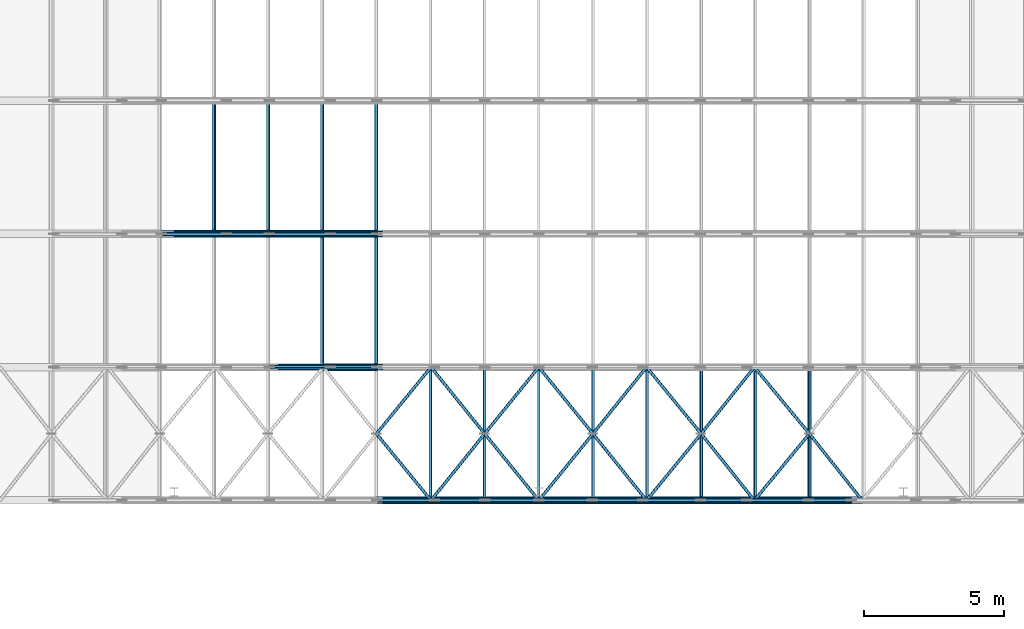
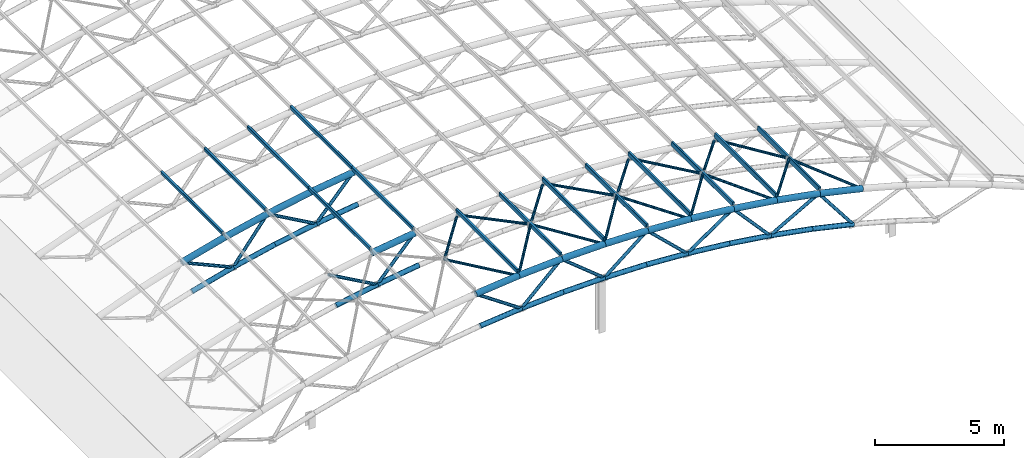
# One storey, part 2 of 22: 75 members.
"""IFC4 building model written with IfcOpenShell, lengths in metres."""

from ifc_helpers import new_model, si_unit, direction, frame, origin, origin_2d, place, context, subcontext, project, spatial, hollow_rectangle, hollow_circle, extrude, material, material_profile, profile_set, type_object, element, save


model = new_model("IFC4")

# Units and contexts
model_context = context("Model", 3, precision=1e-05, world=origin(), true_north=direction((0.0, 1.0)))
body_context = subcontext(model_context, "Body", "Model", "MODEL_VIEW")
ifc_project = project(units=[si_unit("LENGTHUNIT", "METRE"), si_unit("AREAUNIT", "SQUARE_METRE"), si_unit("VOLUMEUNIT", "CUBIC_METRE"), si_unit("PLANEANGLEUNIT", "RADIAN"), si_unit("MASSUNIT", "GRAM", prefix="KILO")], contexts=[model_context])

# Site, building, storey
site_placement = place(None, origin())
site = spatial("IfcSite", under=ifc_project, at=site_placement, CompositionType="ELEMENT")
building_placement = place(site_placement, origin())
building = spatial("IfcBuilding", under=site, at=building_placement, Name="Elbe Cascade School", CompositionType="ELEMENT")
storey_placement = place(building_placement, frame((0.0, 0.0, 18.89990234375)))
storey = spatial("IfcBuildingStorey", under=building, at=storey_placement, Name="R05", CompositionType="ELEMENT", Elevation=18.89990234375)

# Members
ifc_material_1 = material(Name="Steel S355J2H", Category="steel")
ifc_material_profile_1 = material_profile(ifc_material_1, hollow_circle(Radius=0.109619140625, WallThickness=0.012451171875, at=origin_2d()), Name="CHS 219.1x12.5")
ifc_profile_set_1 = profile_set([ifc_material_profile_1], Name="Steel S355J2H")
member_type_1 = type_object("IfcMemberType", Name="Hall rib bottom chord CHS 219.1x12.5", PredefinedType="CHORD", material=ifc_profile_set_1)
member_1_placement = place(storey_placement, frame((28.428466796875, 41.0, 2.355224609375), z_axis=(0.994942207611, 0.0, 0.100449009523), x_axis=(0.0, 1.0, 0.0)))
element("IfcMember", 1, at=member_1_placement, inside=storey, type_object=member_type_1, Name="Hall rib bottom chord CHS 219.1x12.5 M3", PredefinedType="CHORD", context=body_context, shape_type="SweptSolid", body=[
    extrude(hollow_circle(Radius=0.109619140625, WallThickness=0.012451171875, at=origin_2d()), origin(), (0.0, 0.0, 1.0), 1.86669921875),
])
member_2_placement = place(storey_placement, frame((30.28564453125, 41.0, 2.542724609375), z_axis=(0.998184548597, 0.0, 0.060229618484), x_axis=(0.0, 1.0, 0.0)))
element("IfcMember", 2, at=member_2_placement, inside=storey, type_object=member_type_1, Name="Hall rib bottom chord CHS 219.1x12.5 M3", PredefinedType="CHORD", context=body_context, shape_type="SweptSolid", body=[
    extrude(hollow_circle(Radius=0.109619140625, WallThickness=0.012451171875, at=origin_2d()), origin(), (0.0, 0.0, 1.0), 1.860595703125),
])
for number, where, z_axis, x_axis, name in (
    (3, (32.142822265625, 41.0, 2.65478515625), (0.999797793882, 0.0, 0.020108986784), (0.0, 1.0, 0.0), "Hall rib bottom chord CHS 219.1x12.5 M3"),
    (4, (34.0, 41.0, 2.692138671875), (0.999797793882, 0.0, -0.020108986784), (0.0, 1.0, 0.0), "Hall rib bottom chord CHS 219.1x12.5 M3"),
):
    element("IfcMember", number, at=place(storey_placement, frame(where, z_axis=z_axis, x_axis=x_axis)), inside=storey, type_object=member_type_1, Name=name, PredefinedType="CHORD", context=body_context, shape_type="SweptSolid", body=[
        extrude(hollow_circle(Radius=0.109619140625, WallThickness=0.012451171875, at=origin_2d()), origin(), (0.0, 0.0, 1.0), 1.857666015625),
    ])
member_3_placement = place(storey_placement, frame((35.857177734375, 41.0, 2.65478515625), z_axis=(0.998184548597, 0.0, -0.060229618484), x_axis=(0.0, 1.0, 0.0)))
element("IfcMember", 5, at=member_3_placement, inside=storey, type_object=member_type_1, Name="Hall rib bottom chord CHS 219.1x12.5 M3", PredefinedType="CHORD", context=body_context, shape_type="SweptSolid", body=[
    extrude(hollow_circle(Radius=0.109619140625, WallThickness=0.012451171875, at=origin_2d()), origin(), (0.0, 0.0, 1.0), 1.860595703125),
])
member_4_placement = place(storey_placement, frame((37.71435546875, 41.0, 2.542724609375), z_axis=(0.994942207611, 0.0, -0.100449009523), x_axis=(0.0, 1.0, 0.0)))
element("IfcMember", 6, at=member_4_placement, inside=storey, type_object=member_type_1, Name="Hall rib bottom chord CHS 219.1x12.5 M3", PredefinedType="CHORD", context=body_context, shape_type="SweptSolid", body=[
    extrude(hollow_circle(Radius=0.109619140625, WallThickness=0.012451171875, at=origin_2d()), origin(), (0.0, 0.0, 1.0), 1.86669921875),
])
member_5_placement = place(storey_placement, frame((39.571533203125, 41.0, 2.355224609375), z_axis=(0.990068894629, 0.0, -0.140583014225), x_axis=(0.0, 1.0, 0.0)))
element("IfcMember", 7, at=member_5_placement, inside=storey, type_object=member_type_1, Name="Hall rib bottom chord CHS 219.1x12.5 M3", PredefinedType="CHORD", context=body_context, shape_type="SweptSolid", body=[
    extrude(hollow_circle(Radius=0.109619140625, WallThickness=0.012451171875, at=origin_2d()), origin(), (0.0, 0.0, 1.0), 1.87548828125),
])
member_6_placement = place(storey_placement, frame((41.428466796875, 41.0, 2.091552734375), z_axis=(0.9835518543, 0.0, -0.180625994539), x_axis=(0.0, 1.0, 0.0)))
element("IfcMember", 8, at=member_6_placement, inside=storey, type_object=member_type_1, Name="Hall rib bottom chord CHS 219.1x12.5 M3", PredefinedType="CHORD", context=body_context, shape_type="SweptSolid", body=[
    extrude(hollow_circle(Radius=0.109619140625, WallThickness=0.012451171875, at=origin_2d()), origin(), (0.0, 0.0, 1.0), 1.88818359375),
])
member_7_placement = place(storey_placement, frame((43.28564453125, 41.0, 1.75048828125), z_axis=(0.975295060536, 0.0, -0.220906190259), x_axis=(0.0, 1.0, 0.0)))
element("IfcMember", 9, at=member_7_placement, inside=storey, type_object=member_type_1, Name="Hall rib bottom chord CHS 219.1x12.5 M3", PredefinedType="CHORD", context=body_context, shape_type="SweptSolid", body=[
    extrude(hollow_circle(Radius=0.109619140625, WallThickness=0.012451171875, at=origin_2d()), origin(), (0.0, 0.0, 1.0), 1.904296875),
])
member_8_placement = place(storey_placement, frame((24.71435546875, 45.75, 1.75048828125), z_axis=(0.9835518543, 0.0, 0.180625994539), x_axis=(0.0, 1.0, 0.0)))
element("IfcMember", 10, at=member_8_placement, inside=storey, type_object=member_type_1, Name="Hall rib bottom chord CHS 219.1x12.5 M3", PredefinedType="CHORD", context=body_context, shape_type="SweptSolid", body=[
    extrude(hollow_circle(Radius=0.109619140625, WallThickness=0.012451171875, at=origin_2d()), origin(), (0.0, 0.0, 1.0), 1.88818359375),
])
member_9_placement = place(storey_placement, frame((26.571533203125, 45.75, 2.091552734375), z_axis=(0.990068894629, 0.0, 0.140583014225), x_axis=(0.0, 1.0, 0.0)))
element("IfcMember", 11, at=member_9_placement, inside=storey, type_object=member_type_1, Name="Hall rib bottom chord CHS 219.1x12.5 M3", PredefinedType="CHORD", context=body_context, shape_type="SweptSolid", body=[
    extrude(hollow_circle(Radius=0.109619140625, WallThickness=0.012451171875, at=origin_2d()), origin(), (0.0, 0.0, 1.0), 1.87548828125),
])
member_10_placement = place(storey_placement, frame((21.0, 50.5, 0.82763671875), z_axis=(0.965329694666, 0.0, 0.26103367713), x_axis=(0.0, 1.0, 0.0)))
element("IfcMember", 12, at=member_10_placement, inside=storey, type_object=member_type_1, Name="Hall rib bottom chord CHS 219.1x12.5 M3", PredefinedType="CHORD", context=body_context, shape_type="SweptSolid", body=[
    extrude(hollow_circle(Radius=0.109619140625, WallThickness=0.012451171875, at=origin_2d()), origin(), (0.0, 0.0, 1.0), 1.923828125),
])
member_11_placement = place(storey_placement, frame((22.857177734375, 50.5, 1.329833984375), z_axis=(0.975295060536, 0.0, 0.220906190259), x_axis=(0.0, 1.0, 0.0)))
element("IfcMember", 13, at=member_11_placement, inside=storey, type_object=member_type_1, Name="Hall rib bottom chord CHS 219.1x12.5 M3", PredefinedType="CHORD", context=body_context, shape_type="SweptSolid", body=[
    extrude(hollow_circle(Radius=0.109619140625, WallThickness=0.012451171875, at=origin_2d()), origin(), (0.0, 0.0, 1.0), 1.904296875),
])
member_12_placement = place(storey_placement, frame((24.71435546875, 50.5, 1.75048828125), z_axis=(0.9835518543, 0.0, 0.180625994539), x_axis=(0.0, 1.0, 0.0)))
element("IfcMember", 14, at=member_12_placement, inside=storey, type_object=member_type_1, Name="Hall rib bottom chord CHS 219.1x12.5 M3", PredefinedType="CHORD", context=body_context, shape_type="SweptSolid", body=[
    extrude(hollow_circle(Radius=0.109619140625, WallThickness=0.012451171875, at=origin_2d()), origin(), (0.0, 0.0, 1.0), 1.88818359375),
])
member_13_placement = place(storey_placement, frame((26.571533203125, 50.5, 2.091552734375), z_axis=(0.990068894629, 0.0, 0.140583014225), x_axis=(0.0, 1.0, 0.0)))
element("IfcMember", 15, at=member_13_placement, inside=storey, type_object=member_type_1, Name="Hall rib bottom chord CHS 219.1x12.5 M3", PredefinedType="CHORD", context=body_context, shape_type="SweptSolid", body=[
    extrude(hollow_circle(Radius=0.109619140625, WallThickness=0.012451171875, at=origin_2d()), origin(), (0.0, 0.0, 1.0), 1.87548828125),
])
ifc_material_2 = material(Name="Steel S355J2H", Category="steel")
ifc_material_profile_2 = material_profile(ifc_material_2, hollow_circle(Radius=0.136474609375, WallThickness=0.012451171875, at=origin_2d()), Name="CHS 273x12.5")
ifc_profile_set_2 = profile_set([ifc_material_profile_2], Name="Steel S355J2H")
member_type_2 = type_object("IfcMemberType", Name="Hall rib top chord CHS 273x12.5", PredefinedType="CHORD", material=ifc_profile_set_2)
member_14_placement = place(storey_placement, frame((28.23583984375, 41.0, 3.943603515625), z_axis=(0.994936550575, 0.0, 0.100505026392), x_axis=(0.0, 1.0, 0.0)))
element("IfcMember", 16, at=member_14_placement, inside=storey, type_object=member_type_2, Name="Hall rib top chord CHS 273x12.5 M2", PredefinedType="CHORD", context=body_context, shape_type="SweptSolid", body=[
    extrude(hollow_circle(Radius=0.136474609375, WallThickness=0.012451171875, at=origin_2d()), origin(), (0.0, 0.0, 1.0), 1.93115234375),
])
member_15_placement = place(storey_placement, frame((30.1572265625, 41.0, 4.1376953125), z_axis=(0.998183551067, 0.0, 0.060246148254), x_axis=(0.0, 1.0, 0.0)))
element("IfcMember", 17, at=member_15_placement, inside=storey, type_object=member_type_2, Name="Hall rib top chord CHS 273x12.5 M2", PredefinedType="CHORD", context=body_context, shape_type="SweptSolid", body=[
    extrude(hollow_circle(Radius=0.136474609375, WallThickness=0.012451171875, at=origin_2d()), origin(), (0.0, 0.0, 1.0), 1.9248046875),
])
for number, where, z_axis, x_axis, name in (
    (18, (32.07861328125, 41.0, 4.253662109375), (0.999798533216, 0.0, 0.020072194187), (0.0, 1.0, 0.0), "Hall rib top chord CHS 273x12.5 M2"),
    (19, (34.0, 41.0, 4.292236328125), (0.999798533216, 0.0, -0.020072194187), (0.0, 1.0, 0.0), "Hall rib top chord CHS 273x12.5 M2"),
):
    element("IfcMember", number, at=place(storey_placement, frame(where, z_axis=z_axis, x_axis=x_axis)), inside=storey, type_object=member_type_2, Name=name, PredefinedType="CHORD", context=body_context, shape_type="SweptSolid", body=[
        extrude(hollow_circle(Radius=0.136474609375, WallThickness=0.012451171875, at=origin_2d()), origin(), (0.0, 0.0, 1.0), 1.921875),
    ])
member_16_placement = place(storey_placement, frame((35.92138671875, 41.0, 4.253662109375), z_axis=(0.998183551067, 0.0, -0.060246148254), x_axis=(0.0, 1.0, 0.0)))
element("IfcMember", 20, at=member_16_placement, inside=storey, type_object=member_type_2, Name="Hall rib top chord CHS 273x12.5 M2", PredefinedType="CHORD", context=body_context, shape_type="SweptSolid", body=[
    extrude(hollow_circle(Radius=0.136474609375, WallThickness=0.012451171875, at=origin_2d()), origin(), (0.0, 0.0, 1.0), 1.9248046875),
])
member_17_placement = place(storey_placement, frame((37.8427734375, 41.0, 4.1376953125), z_axis=(0.994936550575, 0.0, -0.100505026392), x_axis=(0.0, 1.0, 0.0)))
element("IfcMember", 21, at=member_17_placement, inside=storey, type_object=member_type_2, Name="Hall rib top chord CHS 273x12.5 M2", PredefinedType="CHORD", context=body_context, shape_type="SweptSolid", body=[
    extrude(hollow_circle(Radius=0.136474609375, WallThickness=0.012451171875, at=origin_2d()), origin(), (0.0, 0.0, 1.0), 1.93115234375),
])
member_18_placement = place(storey_placement, frame((39.76416015625, 41.0, 3.943603515625), z_axis=(0.990077406218, 0.0, -0.140523057528), x_axis=(0.0, 1.0, 0.0)))
element("IfcMember", 22, at=member_18_placement, inside=storey, type_object=member_type_2, Name="Hall rib top chord CHS 273x12.5 M2", PredefinedType="CHORD", context=body_context, shape_type="SweptSolid", body=[
    extrude(hollow_circle(Radius=0.136474609375, WallThickness=0.012451171875, at=origin_2d()), origin(), (0.0, 0.0, 1.0), 1.940673828125),
])
member_19_placement = place(storey_placement, frame((41.685546875, 41.0, 3.6708984375), z_axis=(0.983536288489, 0.0, -0.180710733565), x_axis=(0.0, 1.0, 0.0)))
element("IfcMember", 23, at=member_19_placement, inside=storey, type_object=member_type_2, Name="Hall rib top chord CHS 273x12.5 M2", PredefinedType="CHORD", context=body_context, shape_type="SweptSolid", body=[
    extrude(hollow_circle(Radius=0.136474609375, WallThickness=0.012451171875, at=origin_2d()), origin(), (0.0, 0.0, 1.0), 1.95361328125),
])
member_20_placement = place(storey_placement, frame((43.60693359375, 41.0, 3.31787109375), z_axis=(0.975283578549, 0.0, -0.220956876817), x_axis=(0.0, 1.0, 0.0)))
element("IfcMember", 24, at=member_20_placement, inside=storey, type_object=member_type_2, Name="Hall rib top chord CHS 273x12.5 M2", PredefinedType="CHORD", context=body_context, shape_type="SweptSolid", body=[
    extrude(hollow_circle(Radius=0.136474609375, WallThickness=0.012451171875, at=origin_2d()), origin(), (0.0, 0.0, 1.0), 1.969970703125),
])
member_21_placement = place(storey_placement, frame((26.314453125, 45.75, 3.6708984375), z_axis=(0.990077406218, 0.0, 0.140523057528), x_axis=(0.0, 1.0, 0.0)))
element("IfcMember", 25, at=member_21_placement, inside=storey, type_object=member_type_2, Name="Hall rib top chord CHS 273x12.5 M2", PredefinedType="CHORD", context=body_context, shape_type="SweptSolid", body=[
    extrude(hollow_circle(Radius=0.136474609375, WallThickness=0.012451171875, at=origin_2d()), origin(), (0.0, 0.0, 1.0), 1.940673828125),
])
member_22_placement = place(storey_placement, frame((20.55029296875, 50.5, 2.363037109375), z_axis=(0.965333327016, 0.0, 0.26102024395), x_axis=(0.0, 1.0, 0.0)))
element("IfcMember", 26, at=member_22_placement, inside=storey, type_object=member_type_2, Name="Hall rib top chord CHS 273x12.5 M2", PredefinedType="CHORD", context=body_context, shape_type="SweptSolid", body=[
    extrude(hollow_circle(Radius=0.136474609375, WallThickness=0.012451171875, at=origin_2d()), origin(), (0.0, 0.0, 1.0), 1.990478515625),
])
member_23_placement = place(storey_placement, frame((22.4716796875, 50.5, 2.882568359375), z_axis=(0.975283578549, 0.0, 0.220956876817), x_axis=(0.0, 1.0, 0.0)))
element("IfcMember", 27, at=member_23_placement, inside=storey, type_object=member_type_2, Name="Hall rib top chord CHS 273x12.5 M2", PredefinedType="CHORD", context=body_context, shape_type="SweptSolid", body=[
    extrude(hollow_circle(Radius=0.136474609375, WallThickness=0.012451171875, at=origin_2d()), origin(), (0.0, 0.0, 1.0), 1.969970703125),
])
member_24_placement = place(storey_placement, frame((24.39306640625, 50.5, 3.31787109375), z_axis=(0.983536288489, 0.0, 0.180710733565), x_axis=(0.0, 1.0, 0.0)))
element("IfcMember", 28, at=member_24_placement, inside=storey, type_object=member_type_2, Name="Hall rib top chord CHS 273x12.5 M2", PredefinedType="CHORD", context=body_context, shape_type="SweptSolid", body=[
    extrude(hollow_circle(Radius=0.136474609375, WallThickness=0.012451171875, at=origin_2d()), origin(), (0.0, 0.0, 1.0), 1.95361328125),
])
member_25_placement = place(storey_placement, frame((26.314453125, 50.5, 3.6708984375), z_axis=(0.990077406218, 0.0, 0.140523057528), x_axis=(0.0, 1.0, 0.0)))
element("IfcMember", 29, at=member_25_placement, inside=storey, type_object=member_type_2, Name="Hall rib top chord CHS 273x12.5 M2", PredefinedType="CHORD", context=body_context, shape_type="SweptSolid", body=[
    extrude(hollow_circle(Radius=0.136474609375, WallThickness=0.012451171875, at=origin_2d()), origin(), (0.0, 0.0, 1.0), 1.940673828125),
])
ifc_material_3 = material(Name="Steel S355J2H", Category="steel")
ifc_material_profile_3 = material_profile(ifc_material_3, hollow_circle(Radius=0.06982421875, WallThickness=0.008056640625, at=origin_2d()), Name="CHS 139.7x8")
ifc_profile_set_3 = profile_set([ifc_material_profile_3], Name="Steel S355J2H")
member_type_3 = type_object("IfcMemberType", Name="Hall rib web CHS 139.7x8", PredefinedType="BRACE", material=ifc_profile_set_3)
member_26_placement = place(storey_placement, frame((28.23583984375, 41.0, 3.943603515625), z_axis=(0.825611048999, 0.0, -0.564239661643), x_axis=(0.0, 1.0, 0.0)))
element("IfcMember", 30, at=member_26_placement, inside=storey, type_object=member_type_3, Name="Hall rib web CHS 139.7x8 M4", PredefinedType="BRACE", context=body_context, shape_type="SweptSolid", body=[
    extrude(hollow_circle(Radius=0.06982421875, WallThickness=0.008056640625, at=origin_2d()), origin(), (0.0, 0.0, 1.0), 2.482666015625),
])
member_27_placement = place(storey_placement, frame((30.28564453125, 41.0, 2.542724609375), z_axis=(0.723462885485, 0.0, 0.690363276345), x_axis=(0.0, 1.0, 0.0)))
element("IfcMember", 31, at=member_27_placement, inside=storey, type_object=member_type_3, Name="Hall rib web CHS 139.7x8 M4", PredefinedType="BRACE", context=body_context, shape_type="SweptSolid", body=[
    extrude(hollow_circle(Radius=0.06982421875, WallThickness=0.008056640625, at=origin_2d()), origin(), (0.0, 0.0, 1.0), 2.478271484375),
])
for number, where, z_axis, x_axis, name in (
    (32, (32.07861328125, 41.0, 4.253662109375), (0.776035572701, 0.0, -0.630689138881), (0.0, 1.0, 0.0), "Hall rib web CHS 139.7x8 M4"),
    (33, (34.0, 41.0, 2.692138671875), (0.776035572701, 0.0, 0.630689138881), (0.0, 1.0, 0.0), "Hall rib web CHS 139.7x8 M4"),
):
    element("IfcMember", number, at=place(storey_placement, frame(where, z_axis=z_axis, x_axis=x_axis)), inside=storey, type_object=member_type_3, Name=name, PredefinedType="BRACE", context=body_context, shape_type="SweptSolid", body=[
        extrude(hollow_circle(Radius=0.06982421875, WallThickness=0.008056640625, at=origin_2d()), origin(), (0.0, 0.0, 1.0), 2.475830078125),
    ])
member_28_placement = place(storey_placement, frame((35.92138671875, 41.0, 4.253662109375), z_axis=(0.723462885485, 0.0, -0.690363276345), x_axis=(0.0, 1.0, 0.0)))
element("IfcMember", 34, at=member_28_placement, inside=storey, type_object=member_type_3, Name="Hall rib web CHS 139.7x8 M4", PredefinedType="BRACE", context=body_context, shape_type="SweptSolid", body=[
    extrude(hollow_circle(Radius=0.06982421875, WallThickness=0.008056640625, at=origin_2d()), origin(), (0.0, 0.0, 1.0), 2.478271484375),
])
member_29_placement = place(storey_placement, frame((37.71435546875, 41.0, 2.542724609375), z_axis=(0.825611048999, 0.0, 0.564239661643), x_axis=(0.0, 1.0, 0.0)))
element("IfcMember", 35, at=member_29_placement, inside=storey, type_object=member_type_3, Name="Hall rib web CHS 139.7x8 M4", PredefinedType="BRACE", context=body_context, shape_type="SweptSolid", body=[
    extrude(hollow_circle(Radius=0.06982421875, WallThickness=0.008056640625, at=origin_2d()), origin(), (0.0, 0.0, 1.0), 2.482666015625),
])
member_30_placement = place(storey_placement, frame((39.76416015625, 41.0, 3.943603515625), z_axis=(0.668401163046, 0.0, -0.743800971523), x_axis=(0.0, 1.0, 0.0)))
element("IfcMember", 36, at=member_30_placement, inside=storey, type_object=member_type_3, Name="Hall rib web CHS 139.7x8 M4", PredefinedType="BRACE", context=body_context, shape_type="SweptSolid", body=[
    extrude(hollow_circle(Radius=0.06982421875, WallThickness=0.008056640625, at=origin_2d()), origin(), (0.0, 0.0, 1.0), 2.489990234375),
])
member_31_placement = place(storey_placement, frame((41.428466796875, 41.0, 2.091552734375), z_axis=(0.871416395959, 0.0, 0.49054404986), x_axis=(0.0, 1.0, 0.0)))
element("IfcMember", 37, at=member_31_placement, inside=storey, type_object=member_type_3, Name="Hall rib web CHS 139.7x8 M4", PredefinedType="BRACE", context=body_context, shape_type="SweptSolid", body=[
    extrude(hollow_circle(Radius=0.06982421875, WallThickness=0.008056640625, at=origin_2d()), origin(), (0.0, 0.0, 1.0), 2.5),
])
member_32_placement = place(storey_placement, frame((43.60693359375, 41.0, 3.31787109375), z_axis=(0.611367288824, 0.0, -0.791346977094), x_axis=(0.0, 1.0, 0.0)))
element("IfcMember", 38, at=member_32_placement, inside=storey, type_object=member_type_3, Name="Hall rib web CHS 139.7x8 M4", PredefinedType="BRACE", context=body_context, shape_type="SweptSolid", body=[
    extrude(hollow_circle(Radius=0.06982421875, WallThickness=0.008056640625, at=origin_2d()), origin(), (0.0, 0.0, 1.0), 2.51220703125),
])
member_33_placement = place(storey_placement, frame((24.39306640625, 45.75, 3.31787109375), z_axis=(0.871416395959, 0.0, -0.49054404986), x_axis=(0.0, 1.0, 0.0)))
element("IfcMember", 39, at=member_33_placement, inside=storey, type_object=member_type_3, Name="Hall rib web CHS 139.7x8 M4", PredefinedType="BRACE", context=body_context, shape_type="SweptSolid", body=[
    extrude(hollow_circle(Radius=0.06982421875, WallThickness=0.008056640625, at=origin_2d()), origin(), (0.0, 0.0, 1.0), 2.5),
])
member_34_placement = place(storey_placement, frame((26.571533203125, 45.75, 2.091552734375), z_axis=(0.668401163046, 0.0, 0.743800971523), x_axis=(0.0, 1.0, 0.0)))
element("IfcMember", 40, at=member_34_placement, inside=storey, type_object=member_type_3, Name="Hall rib web CHS 139.7x8 M4", PredefinedType="BRACE", context=body_context, shape_type="SweptSolid", body=[
    extrude(hollow_circle(Radius=0.06982421875, WallThickness=0.008056640625, at=origin_2d()), origin(), (0.0, 0.0, 1.0), 2.489990234375),
])
member_35_placement = place(storey_placement, frame((20.55029296875, 50.5, 2.363037109375), z_axis=(0.91264478228, 0.0, -0.408753594942), x_axis=(0.0, 1.0, 0.0)))
element("IfcMember", 41, at=member_35_placement, inside=storey, type_object=member_type_3, Name="Hall rib web CHS 139.7x8 M4", PredefinedType="BRACE", context=body_context, shape_type="SweptSolid", body=[
    extrude(hollow_circle(Radius=0.06982421875, WallThickness=0.008056640625, at=origin_2d()), origin(), (0.0, 0.0, 1.0), 2.527587890625),
])
member_36_placement = place(storey_placement, frame((22.857177734375, 50.5, 1.329833984375), z_axis=(0.611367288824, 0.0, 0.791346977094), x_axis=(0.0, 1.0, 0.0)))
element("IfcMember", 42, at=member_36_placement, inside=storey, type_object=member_type_3, Name="Hall rib web CHS 139.7x8 M4", PredefinedType="BRACE", context=body_context, shape_type="SweptSolid", body=[
    extrude(hollow_circle(Radius=0.06982421875, WallThickness=0.008056640625, at=origin_2d()), origin(), (0.0, 0.0, 1.0), 2.51220703125),
])
member_37_placement = place(storey_placement, frame((24.39306640625, 50.5, 3.31787109375), z_axis=(0.871416395959, 0.0, -0.49054404986), x_axis=(0.0, 1.0, 0.0)))
element("IfcMember", 43, at=member_37_placement, inside=storey, type_object=member_type_3, Name="Hall rib web CHS 139.7x8 M4", PredefinedType="BRACE", context=body_context, shape_type="SweptSolid", body=[
    extrude(hollow_circle(Radius=0.06982421875, WallThickness=0.008056640625, at=origin_2d()), origin(), (0.0, 0.0, 1.0), 2.5),
])
member_38_placement = place(storey_placement, frame((26.571533203125, 50.5, 2.091552734375), z_axis=(0.668401163046, 0.0, 0.743800971523), x_axis=(0.0, 1.0, 0.0)))
element("IfcMember", 44, at=member_38_placement, inside=storey, type_object=member_type_3, Name="Hall rib web CHS 139.7x8 M4", PredefinedType="BRACE", context=body_context, shape_type="SweptSolid", body=[
    extrude(hollow_circle(Radius=0.06982421875, WallThickness=0.008056640625, at=origin_2d()), origin(), (0.0, 0.0, 1.0), 2.489990234375),
])
ifc_material_4 = material(Name="Steel S355J2H", Category="steel")
ifc_material_profile_4 = material_profile(ifc_material_4, hollow_circle(Radius=0.05712890625, WallThickness=0.00634765625, at=origin_2d()), Name="CHS 114.3x6.3")
ifc_profile_set_4 = profile_set([ifc_material_profile_4], Name="Steel S355J2H")
member_type_4 = type_object("IfcMemberType", Name="Hall roof bracing CHS 114.3x6.3", PredefinedType="BRACE", material=ifc_profile_set_4)
for number, where, z_axis, x_axis, name in (
    (45, (28.2109375, 43.375, 4.148681640625), (0.633839694881, 0.773456165554, -0.003577870832), (-0.77346111617, 0.633843751861, 0.0), "Hall roof bracing CHS 114.3x6.3 M9"),
    (46, (28.2109375, 43.375, 4.148681640625), (0.633839694881, -0.773456165554, -0.003577870832), (0.77346111617, 0.633843751861, 0.0), "Hall roof bracing CHS 114.3x6.3 M9"),
):
    element("IfcMember", number, at=place(storey_placement, frame(where, z_axis=z_axis, x_axis=x_axis)), inside=storey, type_object=member_type_4, Name=name, PredefinedType="BRACE", context=body_context, shape_type="SweptSolid", body=[
        extrude(hollow_circle(Radius=0.05712890625, WallThickness=0.00634765625, at=origin_2d()), origin(), (0.0, 0.0, 1.0), 3.070556640625),
    ])
member_39_placement = place(storey_placement, frame((32.0703125, 43.375, 4.4599609375), z_axis=(-0.62383457677, -0.774459260186, -0.10508698843), x_axis=(0.778771290788, -0.627307959972, 0.0)))
element("IfcMember", 47, at=member_39_placement, inside=storey, type_object=member_type_4, Name="Hall roof bracing CHS 114.3x6.3 M9", PredefinedType="BRACE", context=body_context, shape_type="SweptSolid", body=[
    extrude(hollow_circle(Radius=0.05712890625, WallThickness=0.00634765625, at=origin_2d()), origin(), (0.0, 0.0, 1.0), 3.066650390625),
])
member_40_placement = place(storey_placement, frame((32.0703125, 43.375, 4.4599609375), z_axis=(0.629647565671, 0.774950850056, -0.05472771731), x_axis=(-0.776114000116, 0.630592625094, 0.0)))
element("IfcMember", 48, at=member_40_placement, inside=storey, type_object=member_type_4, Name="Hall roof bracing CHS 114.3x6.3 M9", PredefinedType="BRACE", context=body_context, shape_type="SweptSolid", body=[
    extrude(hollow_circle(Radius=0.05712890625, WallThickness=0.00634765625, at=origin_2d()), origin(), (0.0, 0.0, 1.0), 3.064697265625),
])
member_41_placement = place(storey_placement, frame((32.0703125, 43.375, 4.4599609375), z_axis=(-0.62383457677, 0.774459260186, -0.10508698843), x_axis=(-0.778771290788, -0.627307959972, 0.0)))
element("IfcMember", 49, at=member_41_placement, inside=storey, type_object=member_type_4, Name="Hall roof bracing CHS 114.3x6.3 M9", PredefinedType="BRACE", context=body_context, shape_type="SweptSolid", body=[
    extrude(hollow_circle(Radius=0.05712890625, WallThickness=0.00634765625, at=origin_2d()), origin(), (0.0, 0.0, 1.0), 3.066650390625),
])
for number, where, z_axis, x_axis, name in (
    (50, (32.0703125, 43.375, 4.4599609375), (0.629647565671, -0.774950850056, -0.05472771731), (0.776114000116, 0.630592625094, 0.0), "Hall roof bracing CHS 114.3x6.3 M9"),
    (51, (35.9296875, 43.375, 4.4599609375), (-0.629647565671, -0.774950850056, -0.05472771731), (0.776114000116, -0.630592625094, 0.0), "Hall roof bracing CHS 114.3x6.3 M9"),
):
    element("IfcMember", number, at=place(storey_placement, frame(where, z_axis=z_axis, x_axis=x_axis)), inside=storey, type_object=member_type_4, Name=name, PredefinedType="BRACE", context=body_context, shape_type="SweptSolid", body=[
        extrude(hollow_circle(Radius=0.05712890625, WallThickness=0.00634765625, at=origin_2d()), origin(), (0.0, 0.0, 1.0), 3.064697265625),
    ])
member_42_placement = place(storey_placement, frame((35.9296875, 43.375, 4.4599609375), z_axis=(0.62383457677, 0.774459260186, -0.10508698843), x_axis=(-0.778771290788, 0.627307959972, 0.0)))
element("IfcMember", 52, at=member_42_placement, inside=storey, type_object=member_type_4, Name="Hall roof bracing CHS 114.3x6.3 M9", PredefinedType="BRACE", context=body_context, shape_type="SweptSolid", body=[
    extrude(hollow_circle(Radius=0.05712890625, WallThickness=0.00634765625, at=origin_2d()), origin(), (0.0, 0.0, 1.0), 3.066650390625),
])
member_43_placement = place(storey_placement, frame((35.9296875, 43.375, 4.4599609375), z_axis=(-0.629647565671, 0.774950850056, -0.05472771731), x_axis=(-0.776114000116, -0.630592625094, 0.0)))
element("IfcMember", 53, at=member_43_placement, inside=storey, type_object=member_type_4, Name="Hall roof bracing CHS 114.3x6.3 M9", PredefinedType="BRACE", context=body_context, shape_type="SweptSolid", body=[
    extrude(hollow_circle(Radius=0.05712890625, WallThickness=0.00634765625, at=origin_2d()), origin(), (0.0, 0.0, 1.0), 3.064697265625),
])
member_44_placement = place(storey_placement, frame((35.9296875, 43.375, 4.4599609375), z_axis=(0.62383457677, -0.774459260186, -0.10508698843), x_axis=(0.778771290788, 0.627307959972, 0.0)))
element("IfcMember", 54, at=member_44_placement, inside=storey, type_object=member_type_4, Name="Hall roof bracing CHS 114.3x6.3 M9", PredefinedType="BRACE", context=body_context, shape_type="SweptSolid", body=[
    extrude(hollow_circle(Radius=0.05712890625, WallThickness=0.00634765625, at=origin_2d()), origin(), (0.0, 0.0, 1.0), 3.066650390625),
])
member_45_placement = place(storey_placement, frame((39.7890625, 43.375, 4.148681640625), z_axis=(-0.633839694881, -0.773456165554, -0.003577870832), x_axis=(0.77346111617, -0.633843751861, 0.0)))
element("IfcMember", 55, at=member_45_placement, inside=storey, type_object=member_type_4, Name="Hall roof bracing CHS 114.3x6.3 M9", PredefinedType="BRACE", context=body_context, shape_type="SweptSolid", body=[
    extrude(hollow_circle(Radius=0.05712890625, WallThickness=0.00634765625, at=origin_2d()), origin(), (0.0, 0.0, 1.0), 3.070556640625),
])
member_46_placement = place(storey_placement, frame((39.7890625, 43.375, 4.148681640625), z_axis=(0.616419306396, 0.77195249905, -0.155295131645), x_axis=(-0.781432747539, 0.623989471925, 0.0)))
element("IfcMember", 56, at=member_46_placement, inside=storey, type_object=member_type_4, Name="Hall roof bracing CHS 114.3x6.3 M9", PredefinedType="BRACE", context=body_context, shape_type="SweptSolid", body=[
    extrude(hollow_circle(Radius=0.05712890625, WallThickness=0.00634765625, at=origin_2d()), origin(), (0.0, 0.0, 1.0), 3.07666015625),
])
member_47_placement = place(storey_placement, frame((39.7890625, 43.375, 4.148681640625), z_axis=(-0.633839694881, 0.773456165554, -0.003577870832), x_axis=(-0.77346111617, -0.633843751861, 0.0)))
element("IfcMember", 57, at=member_47_placement, inside=storey, type_object=member_type_4, Name="Hall roof bracing CHS 114.3x6.3 M9", PredefinedType="BRACE", context=body_context, shape_type="SweptSolid", body=[
    extrude(hollow_circle(Radius=0.05712890625, WallThickness=0.00634765625, at=origin_2d()), origin(), (0.0, 0.0, 1.0), 3.070556640625),
])
member_48_placement = place(storey_placement, frame((39.7890625, 43.375, 4.148681640625), z_axis=(0.616419306396, -0.77195249905, -0.155295131645), x_axis=(0.781432747539, 0.623989471925, 0.0)))
element("IfcMember", 58, at=member_48_placement, inside=storey, type_object=member_type_4, Name="Hall roof bracing CHS 114.3x6.3 M9", PredefinedType="BRACE", context=body_context, shape_type="SweptSolid", body=[
    extrude(hollow_circle(Radius=0.05712890625, WallThickness=0.00634765625, at=origin_2d()), origin(), (0.0, 0.0, 1.0), 3.07666015625),
])
for number, where, z_axis, x_axis, name in (
    (59, (43.6484375, 43.375, 3.52001953125), (-0.636299197607, -0.769890372428, 0.048909565189), (0.770812872745, -0.637061625912, 0.0), "Hall roof bracing CHS 114.3x6.3 M9"),
    (60, (43.6484375, 43.375, 3.52001953125), (-0.636299197607, 0.769890372428, 0.048909565189), (-0.770812872745, -0.637061625912, 0.0), "Hall roof bracing CHS 114.3x6.3 M9"),
):
    element("IfcMember", number, at=place(storey_placement, frame(where, z_axis=z_axis, x_axis=x_axis)), inside=storey, type_object=member_type_4, Name=name, PredefinedType="BRACE", context=body_context, shape_type="SweptSolid", body=[
        extrude(hollow_circle(Radius=0.05712890625, WallThickness=0.00634765625, at=origin_2d()), origin(), (0.0, 0.0, 1.0), 3.0849609375),
    ])
member_49_placement = place(storey_placement, frame((43.6484375, 43.375, 3.52001953125), z_axis=(0.607333140787, -0.767290492672, -0.20594114683), x_axis=(0.784098122781, 0.620636877612, 0.0)))
element("IfcMember", 61, at=member_49_placement, inside=storey, type_object=member_type_4, Name="Hall roof bracing CHS 114.3x6.3 M9", PredefinedType="BRACE", context=body_context, shape_type="SweptSolid", body=[
    extrude(hollow_circle(Radius=0.05712890625, WallThickness=0.00634765625, at=origin_2d()), origin(), (0.0, 0.0, 1.0), 3.09521484375),
])
ifc_material_5 = material(Name="Steel S355J2H", Category="steel")
ifc_material_profile_5 = material_profile(ifc_material_5, hollow_rectangle(XDim=0.10009765625, YDim=0.199951171875, WallThickness=0.008056640625, InnerFilletRadius=0.008056640625, OuterFilletRadius=0.011962890625, at=origin_2d()), Name="RHS 200x100x8")
ifc_profile_set_5 = profile_set([ifc_material_profile_5], Name="Steel S355J2H")
member_type_5 = type_object("IfcMemberType", Name="Hall roof purlin RHS 200x100x8", PredefinedType="PURLIN", material=ifc_profile_set_5)
for number, where, z_axis, x_axis, name in (
    (62, (22.421875, 50.5, 3.0830078125), (0.0, 1.0, 0.0), (-0.970543329116, 0.0, -0.240926640925), "Hall roof purlin RHS 200x100x8 M8"),
    (63, (24.3515625, 50.5, 3.52001953125), (0.0, 1.0, 0.0), (-0.979637955265, 0.0, -0.200772200777), "Hall roof purlin RHS 200x100x8 M8"),
    (64, (26.28125, 45.75, 3.874755859375), (0.0, 1.0, 0.0), (-0.987016684243, 0.0, -0.160617760615), "Hall roof purlin RHS 200x100x8 M8"),
    (65, (26.28125, 50.5, 3.874755859375), (0.0, 1.0, 0.0), (-0.987016684243, 0.0, -0.160617760615), "Hall roof purlin RHS 200x100x8 M8"),
    (66, (28.2109375, 45.75, 4.148681640625), (0.0, 1.0, 0.0), (-0.99271777884, 0.0, -0.120463320456), "Hall roof purlin RHS 200x100x8 M8"),
    (67, (28.2109375, 50.5, 4.148681640625), (0.0, 1.0, 0.0), (-0.99271777884, 0.0, -0.120463320456), "Hall roof purlin RHS 200x100x8 M8"),
    (68, (30.140625, 41.0, 4.343505859375), (0.0, 1.0, 0.0), (-0.996770025505, 0.0, -0.080308880303), "Hall roof purlin RHS 200x100x8 M8"),
    (69, (32.0703125, 41.0, 4.4599609375), (0.0, 1.0, 0.0), (-0.999193485235, 0.0, -0.040154440155), "Hall roof purlin RHS 200x100x8 M8"),
    (70, (34.0, 41.0, 4.49853515625), (0.0, 1.0, 0.0), (-1.0, 0.0, 0.0), "Hall roof purlin RHS 200x100x8 M8"),
    (71, (35.9296875, 41.0, 4.4599609375), (0.0, 1.0, 0.0), (-0.999193485235, 0.0, 0.040154440155), "Hall roof purlin RHS 200x100x8 M8"),
    (72, (37.859375, 41.0, 4.343505859375), (0.0, 1.0, 0.0), (-0.996770025505, 0.0, 0.080308880303), "Hall roof purlin RHS 200x100x8 M8"),
    (73, (39.7890625, 41.0, 4.148681640625), (0.0, 1.0, 0.0), (-0.99271777884, 0.0, 0.120463320456), "Hall roof purlin RHS 200x100x8 M8"),
    (74, (41.71875, 41.0, 3.874755859375), (0.0, 1.0, 0.0), (-0.987016684243, 0.0, 0.160617760615), "Hall roof purlin RHS 200x100x8 M8"),
    (75, (43.6484375, 41.0, 3.52001953125), (0.0, 1.0, 0.0), (-0.979637955265, 0.0, 0.200772200777), "Hall roof purlin RHS 200x100x8 M8"),
):
    element("IfcMember", number, at=place(storey_placement, frame(where, z_axis=z_axis, x_axis=x_axis)), inside=storey, type_object=member_type_5, Name=name, PredefinedType="PURLIN", context=body_context, shape_type="SweptSolid", body=[
        extrude(hollow_rectangle(XDim=0.10009765625, YDim=0.199951171875, WallThickness=0.008056640625, InnerFilletRadius=0.008056640625, OuterFilletRadius=0.011962890625, at=origin_2d()), origin(), (0.0, 0.0, 1.0), 4.75),
    ])

save(model, "model.ifc")
